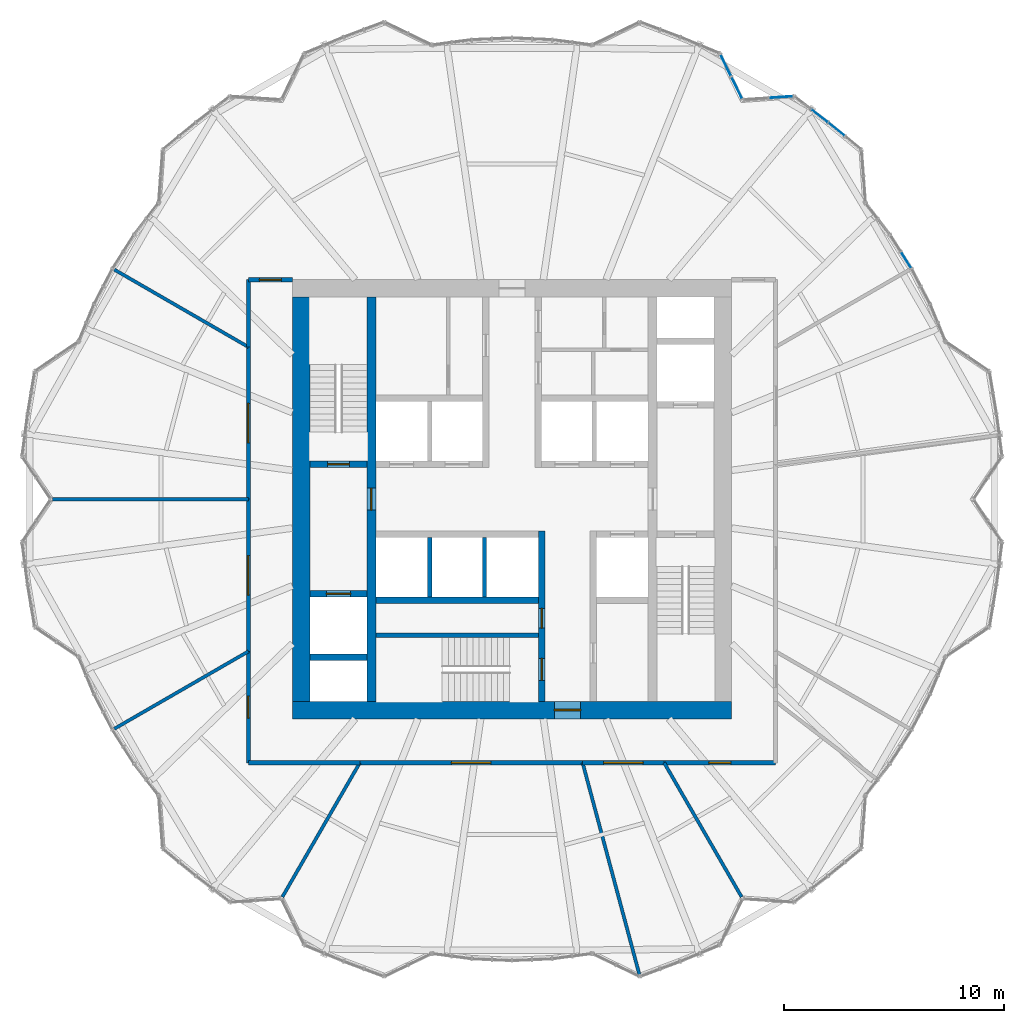
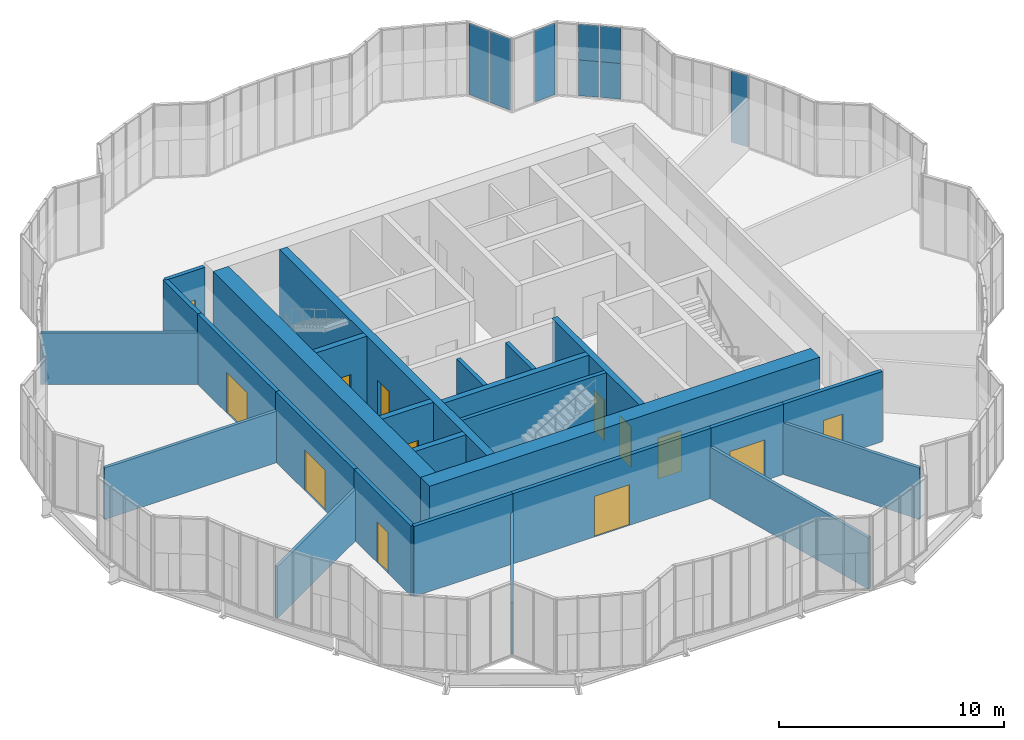
# One storey, part 19 of 22: 26 walls, 13 doors, 8 plates, 13 openings, 5 elements without a shape of their own.
"""IFC4 building model written with IfcOpenShell, lengths in metres."""

from ifc_helpers import new_model, si_unit, direction, frame, frame_2d, origin, origin_2d, place, context, subcontext, project, spatial, rectangle, extrude, material, layer, layer_set, type_object, element, fill, aggregate, save


model = new_model("IFC4")

# Units and contexts
model_context = context("Model", 3, precision=1e-05, world=origin(), true_north=direction((0.0, 1.0)))
body_context = subcontext(model_context, "Body", "Model", "MODEL_VIEW")
ifc_project = project(units=[si_unit("LENGTHUNIT", "METRE"), si_unit("AREAUNIT", "SQUARE_METRE"), si_unit("VOLUMEUNIT", "CUBIC_METRE"), si_unit("PLANEANGLEUNIT", "RADIAN"), si_unit("MASSUNIT", "GRAM", prefix="KILO")], contexts=[model_context])

# Site, building, storey
site_placement = place(None, origin())
site = spatial("IfcSite", under=ifc_project, at=site_placement, CompositionType="ELEMENT")
building_placement = place(site_placement, origin())
building = spatial("IfcBuilding", under=site, at=building_placement, Name="Golbaran Civic Tower", CompositionType="ELEMENT")
storey_placement = place(building_placement, frame((0.0, 0.0, 29.0)))
storey = spatial("IfcBuildingStorey", under=building, at=storey_placement, Name="L06", CompositionType="ELEMENT", Elevation=29.0)

# Curtain wall, plate
ifc_material_1 = material(Name="Aluminium and glass", Category="aluminium")
curtain_wall_type = type_object("IfcCurtainWallType", Name="INNER SKIN CURTAIN WALL", PredefinedType="NOTDEFINED", material=ifc_material_1)
curtain_wall_1_placement = place(storey_placement, origin())
curtain_wall_1 = element("IfcCurtainWall", 1, at=curtain_wall_1_placement, inside=storey, type_object=curtain_wall_type, Name="Inner skin L06 facet 7 CW1", ObjectType="INNER SKIN", PredefinedType="USERDEFINED")
ifc_material_2 = material(Name="Clear insulating glass", Category="glass")
ifc_layer_1 = layer(ifc_material_2, 0.031982421875, Name="Clear insulating glass")
ifc_layer_set_1 = layer_set([ifc_layer_1], Name="Clear insulating glass")
plate_type_1 = type_object("IfcPlateType", Name="INNER SKIN CURTAIN WALL GLAZED PANEL", PredefinedType="CURTAIN_PANEL", material=ifc_layer_set_1)
plate_1_placement = place(storey_placement, frame((17.94482421875, 10.888916015625, 0.06494140625), z_axis=(0.0, 0.0, 1.0), x_axis=(-0.537299608155, 0.843391445935, 0.0)))
plate_1 = element("IfcPlate", 2, at=plate_1_placement, type_object=plate_type_1, Name="CW1 panel 1.1", PredefinedType="CURTAIN_PANEL", context=body_context, shape_type="SweptSolid", body=[
    extrude(rectangle(XDim=0.851318359375, YDim=0.031982421875, at=origin_2d()), origin(), (0.0, 0.0, 1.0), 3.8701171875),
])
aggregate(curtain_wall_1, [plate_1])

curtain_wall_2_placement = place(storey_placement, origin())
curtain_wall_2 = element("IfcCurtainWall", 3, at=curtain_wall_2_placement, inside=storey, type_object=curtain_wall_type, Name="Inner skin L06 facet 12 CW1", ObjectType="INNER SKIN", PredefinedType="USERDEFINED")
plate_2_placement = place(storey_placement, frame((12.24462890625, 18.30712890625, 0.06494140625), z_axis=(0.0, 0.0, 1.0), x_axis=(-0.99777932909, -0.066606384387, 0.0)))
plate_2 = element("IfcPlate", 4, at=plate_2_placement, type_object=plate_type_1, Name="CW1 panel 1.1", PredefinedType="CURTAIN_PANEL", context=body_context, shape_type="SweptSolid", body=[
    extrude(rectangle(XDim=1.077392578125, YDim=0.031982421875, at=origin_2d()), origin(), (0.0, 0.0, 1.0), 3.8701171875),
])
aggregate(curtain_wall_2, [plate_2])

# Curtain wall, plates
curtain_wall_3_placement = place(storey_placement, origin())
curtain_wall_3 = element("IfcCurtainWall", 5, at=curtain_wall_3_placement, inside=storey, type_object=curtain_wall_type, Name="Inner skin L06 facet 13 CW1", ObjectType="INNER SKIN", PredefinedType="USERDEFINED")
plate_3_placement = place(storey_placement, frame((10.236083984375, 18.732666015625, 0.06494140625), z_axis=(0.0, 0.0, 1.0), x_axis=(-0.441206843893, 0.897405438418, 0.0)))
plate_3 = element("IfcPlate", 6, at=plate_3_placement, type_object=plate_type_1, Name="CW1 panel 1.1", PredefinedType="CURTAIN_PANEL", context=body_context, shape_type="SweptSolid", body=[
    extrude(rectangle(XDim=1.077392578125, YDim=0.031982421875, at=origin_2d()), origin(), (0.0, 0.0, 1.0), 3.8701171875),
])
plate_4_placement = place(storey_placement, frame((9.732177734375, 19.7578125, 0.06494140625), z_axis=(0.0, 0.0, 1.0), x_axis=(-0.441206843893, 0.897405438418, 0.0)))
plate_4 = element("IfcPlate", 7, at=plate_4_placement, type_object=plate_type_1, Name="CW1 panel 2.1", PredefinedType="CURTAIN_PANEL", context=body_context, shape_type="SweptSolid", body=[
    extrude(rectangle(XDim=1.077392578125, YDim=0.031982421875, at=origin_2d()), origin(), (0.0, 0.0, 1.0), 3.8701171875),
])
aggregate(curtain_wall_3, [plate_3, plate_4])

curtain_wall_4_placement = place(storey_placement, origin())
curtain_wall_4 = element("IfcCurtainWall", 8, at=curtain_wall_4_placement, inside=storey, type_object=curtain_wall_type, Name="Inner skin L06 facet 10 CW1", ObjectType="INNER SKIN", PredefinedType="USERDEFINED")
ifc_material_3 = material(Name="Aluminium faced opaque infill panel", Category="aluminium")
ifc_layer_2 = layer(ifc_material_3, 0.031982421875, Name="Aluminium faced opaque infill panel")
ifc_layer_set_2 = layer_set([ifc_layer_2], Name="Aluminium faced opaque infill panel")
plate_type_2 = type_object("IfcPlateType", Name="INNER SKIN CURTAIN WALL OPAQUE INFILL PANEL", PredefinedType="CURTAIN_PANEL", material=ifc_layer_set_2)
plate_5_placement = place(storey_placement, frame((14.775634765625, 16.84619140625, 0.06494140625), z_axis=(0.0, 0.0, 1.0), x_axis=(-0.772032452954, 0.63558311147, 0.0)))
plate_5 = element("IfcPlate", 9, at=plate_5_placement, type_object=plate_type_2, Name="CW1 infill panel 2.1 part 1", PredefinedType="CURTAIN_PANEL", context=body_context, shape_type="SweptSolid", body=[
    extrude(rectangle(XDim=0.91552734375, YDim=0.031982421875, at=origin_2d()), origin(), (0.0, 0.0, 1.0), 1.93505859375),
])
plate_6_placement = place(storey_placement, frame((14.775634765625, 16.84619140625, 2.0), z_axis=(0.0, 0.0, 1.0), x_axis=(-0.772032452954, 0.63558311147, 0.0)))
plate_6 = element("IfcPlate", 10, at=plate_6_placement, type_object=plate_type_2, Name="CW1 infill panel 2.1 part 2", PredefinedType="CURTAIN_PANEL", context=body_context, shape_type="SweptSolid", body=[
    extrude(rectangle(XDim=0.91552734375, YDim=0.031982421875, at=origin_2d()), origin(), (0.0, 0.0, 1.0), 1.93505859375),
])
aggregate(curtain_wall_4, [plate_5, plate_6])

curtain_wall_5_placement = place(storey_placement, origin())
curtain_wall_5 = element("IfcCurtainWall", 11, at=curtain_wall_5_placement, inside=storey, type_object=curtain_wall_type, Name="Inner skin L06 facet 11 CW1", ObjectType="INNER SKIN", PredefinedType="USERDEFINED")
plate_7_placement = place(storey_placement, frame((14.009521484375, 17.455322265625, 0.06494140625), z_axis=(0.0, 0.0, 1.0), x_axis=(-0.793353340408, 0.608761428856, 0.0)))
plate_7 = element("IfcPlate", 12, at=plate_7_placement, type_object=plate_type_2, Name="CW1 infill panel 1.1 part 1", PredefinedType="CURTAIN_PANEL", context=body_context, shape_type="SweptSolid", body=[
    extrude(rectangle(XDim=0.911865234375, YDim=0.031982421875, at=origin_2d()), origin(), (0.0, 0.0, 1.0), 1.93505859375),
])
plate_8_placement = place(storey_placement, frame((14.009521484375, 17.455322265625, 2.0), z_axis=(0.0, 0.0, 1.0), x_axis=(-0.793353340408, 0.608761428856, 0.0)))
plate_8 = element("IfcPlate", 13, at=plate_8_placement, type_object=plate_type_2, Name="CW1 infill panel 1.1 part 2", PredefinedType="CURTAIN_PANEL", context=body_context, shape_type="SweptSolid", body=[
    extrude(rectangle(XDim=0.911865234375, YDim=0.031982421875, at=origin_2d()), origin(), (0.0, 0.0, 1.0), 1.93505859375),
])
aggregate(curtain_wall_5, [plate_7, plate_8])

# Wall, opening, door
ifc_material_4 = material(Name="Concrete C50/60", Category="concrete")
ifc_layer_3 = layer(ifc_material_4, 0.39990234375, Name="Concrete C50/60")
ifc_layer_set_3 = layer_set([ifc_layer_3], Name="Concrete C50/60")
wall_type_1 = type_object("IfcWallType", Name="CORE WALL CONCRETE 400", PredefinedType="SOLIDWALL", material=ifc_layer_set_3)
wall_1_placement = place(storey_placement, frame((-6.39990234375, -9.199951171875, 0.0), z_axis=(0.0, 0.0, 1.0), x_axis=(0.0, 1.0, 0.0)))
wall_1 = element("IfcWall", 14, at=wall_1_placement, inside=storey, type_object=wall_type_1, Name="Core wall IW L06", PredefinedType="SOLIDWALL", context=body_context, shape_type="SweptSolid", body=[
    extrude(rectangle(XDim=18.39990234375, YDim=0.39990234375, at=frame_2d((9.199951171875, 0.0))), origin(), (0.0, 0.0, 1.0), 4.0),
])
opening_1_placement = place(wall_1_placement, frame((8.699951171875, 0.0, 0.0)))
opening_1 = element("IfcOpeningElement", 15, at=opening_1_placement, cuts=wall_1, Name="Opening L06.FL1", PredefinedType="OPENING", context=body_context, shape_type="SweptSolid", body=[
    extrude(rectangle(XDim=1.0, YDim=2.199951171875, at=frame_2d((0.5, 1.10009765625))), frame((0.0, 0.2099609375, 0.0), z_axis=(0.0, -1.0, 0.0), x_axis=(1.0, 0.0, 0.0)), (0.0, 0.0, 1.0), 0.419921875),
])
ifc_material_5 = material(Name="Timber door set in steel frame", Category="steel")
door_type_1 = type_object("IfcDoorType", Name="STAIR DOOR 1000x2200", OperationType="SINGLE_SWING_LEFT", PredefinedType="DOOR", material=ifc_material_5)
door_1_placement = place(opening_1_placement, origin())
door_1 = element("IfcDoor", 16, at=door_1_placement, inside=storey, type_object=door_type_1, Name="Fire-fighting lobby FL1 door", OperationType="SINGLE_SWING_LEFT", OverallHeight=2.199951171875, OverallWidth=1.0, PredefinedType="DOOR", context=body_context, shape_type="SweptSolid", body=[
    extrude(rectangle(XDim=1.0, YDim=2.199951171875, at=frame_2d((0.5, 1.10009765625))), frame((0.0, 0.02490234375, 0.0), z_axis=(0.0, -1.0, 0.0), x_axis=(1.0, 0.0, 0.0)), (0.0, 0.0, 1.0), 0.050048828125),
])
fill(opening_1, door_1)

ifc_layer_4 = layer(ifc_material_4, 0.800048828125, Name="Concrete C50/60")
ifc_layer_set_4 = layer_set([ifc_layer_4], Name="Concrete C50/60")
wall_type_2 = type_object("IfcWallType", Name="CORE WALL CONCRETE 800", PredefinedType="SOLIDWALL", material=ifc_layer_set_4)
wall_2_placement = place(storey_placement, frame((10.0, -9.60009765625, 0.0), z_axis=(0.0, 0.0, 1.0), x_axis=(-1.0, 0.0, 0.0)))
wall_2 = element("IfcWall", 17, at=wall_2_placement, inside=storey, type_object=wall_type_2, Name="Core wall CS L06", PredefinedType="SOLIDWALL", context=body_context, shape_type="SweptSolid", body=[
    extrude(rectangle(XDim=20.0, YDim=0.800048828125, at=frame_2d((10.0, 0.0))), origin(), (0.0, 0.0, 1.0), 4.0),
])
opening_2_placement = place(wall_2_placement, frame((6.875, 0.0, 0.0)))
opening_2 = element("IfcOpeningElement", 18, at=opening_2_placement, cuts=wall_2, Name="Opening L06.CS", PredefinedType="OPENING", context=body_context, shape_type="SweptSolid", body=[
    extrude(rectangle(XDim=1.199951171875, YDim=2.199951171875, at=frame_2d((0.60009765625, 1.10009765625))), frame((0.0, 0.409912109375, 0.0), z_axis=(0.0, -1.0, 0.0), x_axis=(1.0, 0.0, 0.0)), (0.0, 0.0, 1.0), 0.820068359375),
])
door_type_2 = type_object("IfcDoorType", Name="CORE DOOR 1200x2200", OperationType="DOUBLE_DOOR_SINGLE_SWING", PredefinedType="DOOR", material=ifc_material_5)
door_2_placement = place(opening_2_placement, origin())
door_2 = element("IfcDoor", 19, at=door_2_placement, inside=storey, type_object=door_type_2, Name="Core door south", OperationType="DOUBLE_DOOR_SINGLE_SWING", OverallHeight=2.199951171875, OverallWidth=1.199951171875, PredefinedType="DOOR", context=body_context, shape_type="SweptSolid", body=[
    extrude(rectangle(XDim=1.199951171875, YDim=2.199951171875, at=frame_2d((0.60009765625, 1.10009765625))), frame((0.0, 0.02490234375, 0.0), z_axis=(0.0, -1.0, 0.0), x_axis=(1.0, 0.0, 0.0)), (0.0, 0.0, 1.0), 0.050048828125),
])
fill(opening_2, door_2)

# Walls
wall_3_placement = place(storey_placement, frame((-9.60009765625, 9.199951171875, 0.0), z_axis=(0.0, 0.0, 1.0), x_axis=(0.0, -1.0, 0.0)))
element("IfcWall", 20, at=wall_3_placement, inside=storey, type_object=wall_type_2, Name="Core wall CW L06", PredefinedType="SOLIDWALL", context=body_context, shape_type="SweptSolid", body=[
    extrude(rectangle(XDim=18.39990234375, YDim=0.800048828125, at=frame_2d((9.199951171875, 0.0))), origin(), (0.0, 0.0, 1.0), 4.0),
])
ifc_material_6 = material(Name="Gypsum board on steel studs, fire-rated", Category="steel")
ifc_layer_5 = layer(ifc_material_6, 0.199951171875, Name="Gypsum board on steel studs, fire-rated")
ifc_layer_set_5 = layer_set([ifc_layer_5], Name="Gypsum board on steel studs, fire-rated")
wall_type_3 = type_object("IfcWallType", Name="CORRIDOR WALL 200", PredefinedType="PARTITIONING", material=ifc_layer_set_5)
wall_4_placement = place(storey_placement, frame((-12.0, 10.0, 0.0), z_axis=(0.0, 0.0, 1.0), x_axis=(0.0, -1.0, 0.0)))
element("IfcWall", 21, at=wall_4_placement, inside=storey, type_object=wall_type_3, Name="Corridor wall L06", PredefinedType="PARTITIONING", context=body_context, shape_type="SweptSolid", body=[
    extrude(rectangle(XDim=3.07177734375, YDim=0.199951171875, at=frame_2d((1.535888671875, 0.0))), origin(), (0.0, 0.0, 1.0), 3.800048828125),
])

# Wall, opening, door
wall_5_placement = place(storey_placement, frame((-12.0, 6.92822265625, 0.0), z_axis=(0.0, 0.0, 1.0), x_axis=(0.0, -1.0, 0.0)))
wall_5 = element("IfcWall", 22, at=wall_5_placement, inside=storey, type_object=wall_type_3, Name="Corridor wall L06", PredefinedType="PARTITIONING", context=body_context, shape_type="SweptSolid", body=[
    extrude(rectangle(XDim=6.92822265625, YDim=0.199951171875, at=frame_2d((3.464111328125, 0.0))), origin(), (0.0, 0.0, 1.0), 3.800048828125),
])
opening_3_placement = place(wall_5_placement, frame((2.564208984375, 0.0, 0.0)))
opening_3 = element("IfcOpeningElement", 23, at=opening_3_placement, cuts=wall_5, Name="Opening L06.04", PredefinedType="OPENING", context=body_context, shape_type="SweptSolid", body=[
    extrude(rectangle(XDim=1.800048828125, YDim=2.199951171875, at=frame_2d((0.89990234375, 1.10009765625))), frame((0.0, 0.10986328125, 0.0), z_axis=(0.0, -1.0, 0.0), x_axis=(1.0, 0.0, 0.0)), (0.0, 0.0, 1.0), 0.219970703125),
])
door_type_3 = type_object("IfcDoorType", Name="OFFICE DOUBLE DOOR 1800x2200", OperationType="DOUBLE_DOOR_SINGLE_SWING", PredefinedType="DOOR", material=ifc_material_5)
door_3_placement = place(opening_3_placement, origin())
door_3 = element("IfcDoor", 24, at=door_3_placement, inside=storey, type_object=door_type_3, Name="Registry Office door L06", OperationType="DOUBLE_DOOR_SINGLE_SWING", OverallHeight=2.199951171875, OverallWidth=1.800048828125, PredefinedType="DOOR", context=body_context, shape_type="SweptSolid", body=[
    extrude(rectangle(XDim=1.800048828125, YDim=2.199951171875, at=frame_2d((0.89990234375, 1.10009765625))), frame((0.0, 0.02490234375, 0.0), z_axis=(0.0, -1.0, 0.0), x_axis=(1.0, 0.0, 0.0)), (0.0, 0.0, 1.0), 0.050048828125),
])
fill(opening_3, door_3)

wall_6_placement = place(storey_placement, frame((-12.0, 0.0, 0.0), z_axis=(0.0, 0.0, 1.0), x_axis=(0.0, -1.0, 0.0)))
wall_6 = element("IfcWall", 25, at=wall_6_placement, inside=storey, type_object=wall_type_3, Name="Corridor wall L06", PredefinedType="PARTITIONING", context=body_context, shape_type="SweptSolid", body=[
    extrude(rectangle(XDim=6.92822265625, YDim=0.199951171875, at=frame_2d((3.464111328125, 0.0))), origin(), (0.0, 0.0, 1.0), 3.800048828125),
])
opening_4_placement = place(wall_6_placement, frame((2.564208984375, 0.0, 0.0)))
opening_4 = element("IfcOpeningElement", 26, at=opening_4_placement, cuts=wall_6, Name="Opening L06.05", PredefinedType="OPENING", context=body_context, shape_type="SweptSolid", body=[
    extrude(rectangle(XDim=1.800048828125, YDim=2.199951171875, at=frame_2d((0.89990234375, 1.10009765625))), frame((0.0, 0.10986328125, 0.0), z_axis=(0.0, -1.0, 0.0), x_axis=(1.0, 0.0, 0.0)), (0.0, 0.0, 1.0), 0.219970703125),
])
door_4_placement = place(opening_4_placement, origin())
door_4 = element("IfcDoor", 27, at=door_4_placement, inside=storey, type_object=door_type_3, Name="Open Office door L06", OperationType="DOUBLE_DOOR_SINGLE_SWING", OverallHeight=2.199951171875, OverallWidth=1.800048828125, PredefinedType="DOOR", context=body_context, shape_type="SweptSolid", body=[
    extrude(rectangle(XDim=1.800048828125, YDim=2.199951171875, at=frame_2d((0.89990234375, 1.10009765625))), frame((0.0, 0.02490234375, 0.0), z_axis=(0.0, -1.0, 0.0), x_axis=(1.0, 0.0, 0.0)), (0.0, 0.0, 1.0), 0.050048828125),
])
fill(opening_4, door_4)

wall_7_placement = place(storey_placement, frame((-12.0, -6.92822265625, 0.0), z_axis=(0.0, 0.0, 1.0), x_axis=(0.0, -1.0, 0.0)))
wall_7 = element("IfcWall", 28, at=wall_7_placement, inside=storey, type_object=wall_type_3, Name="Corridor wall L06", PredefinedType="PARTITIONING", context=body_context, shape_type="SweptSolid", body=[
    extrude(rectangle(XDim=5.07177734375, YDim=0.199951171875, at=frame_2d((2.535888671875, 0.0))), origin(), (0.0, 0.0, 1.0), 3.800048828125),
])
opening_5_placement = place(wall_7_placement, frame((2.035888671875, 0.0, 0.0)))
opening_5 = element("IfcOpeningElement", 29, at=opening_5_placement, cuts=wall_7, Name="Opening L06.06", PredefinedType="OPENING", context=body_context, shape_type="SweptSolid", body=[
    extrude(rectangle(XDim=1.0, YDim=2.199951171875, at=frame_2d((0.5, 1.10009765625))), frame((0.0, 0.10986328125, 0.0), z_axis=(0.0, -1.0, 0.0), x_axis=(1.0, 0.0, 0.0)), (0.0, 0.0, 1.0), 0.219970703125),
])
door_type_4 = type_object("IfcDoorType", Name="OFFICE DOOR 1000x2200", OperationType="SINGLE_SWING_LEFT", PredefinedType="DOOR", material=ifc_material_5)
door_5_placement = place(opening_5_placement, origin())
door_5 = element("IfcDoor", 30, at=door_5_placement, inside=storey, type_object=door_type_4, Name="Quiet Room door L06", OperationType="SINGLE_SWING_RIGHT", OverallHeight=2.199951171875, OverallWidth=1.0, PredefinedType="DOOR", context=body_context, shape_type="SweptSolid", body=[
    extrude(rectangle(XDim=1.0, YDim=2.199951171875, at=frame_2d((0.5, 1.10009765625))), frame((0.0, 0.02490234375, 0.0), z_axis=(0.0, -1.0, 0.0), x_axis=(1.0, 0.0, 0.0)), (0.0, 0.0, 1.0), 0.050048828125),
])
fill(opening_5, door_5)

# Wall
wall_8_placement = place(storey_placement, frame((-12.0, -12.0, 0.0), z_axis=(0.0, 0.0, 1.0), x_axis=(1.0, 0.0, 0.0)))
element("IfcWall", 31, at=wall_8_placement, inside=storey, type_object=wall_type_3, Name="Corridor wall L06", PredefinedType="PARTITIONING", context=body_context, shape_type="SweptSolid", body=[
    extrude(rectangle(XDim=5.07177734375, YDim=0.199951171875, at=frame_2d((2.535888671875, 0.0))), origin(), (0.0, 0.0, 1.0), 3.800048828125),
])

# Wall, opening, door
wall_9_placement = place(storey_placement, frame((-6.92822265625, -12.0, 0.0), z_axis=(0.0, 0.0, 1.0), x_axis=(1.0, 0.0, 0.0)))
wall_9 = element("IfcWall", 32, at=wall_9_placement, inside=storey, type_object=wall_type_3, Name="Corridor wall L06", PredefinedType="PARTITIONING", context=body_context, shape_type="SweptSolid", body=[
    extrude(rectangle(XDim=10.1435546875, YDim=0.199951171875, at=frame_2d((5.07177734375, 0.0))), origin(), (0.0, 0.0, 1.0), 3.800048828125),
])
opening_6_placement = place(wall_9_placement, frame((4.171875, 0.0, 0.0)))
opening_6 = element("IfcOpeningElement", 33, at=opening_6_placement, cuts=wall_9, Name="Opening L06.07", PredefinedType="OPENING", context=body_context, shape_type="SweptSolid", body=[
    extrude(rectangle(XDim=1.800048828125, YDim=2.199951171875, at=frame_2d((0.89990234375, 1.10009765625))), frame((0.0, 0.10986328125, 0.0), z_axis=(0.0, -1.0, 0.0), x_axis=(1.0, 0.0, 0.0)), (0.0, 0.0, 1.0), 0.219970703125),
])
door_6_placement = place(opening_6_placement, origin())
door_6 = element("IfcDoor", 34, at=door_6_placement, inside=storey, type_object=door_type_3, Name="Interview Room door L06", OperationType="DOUBLE_DOOR_SINGLE_SWING", OverallHeight=2.199951171875, OverallWidth=1.800048828125, PredefinedType="DOOR", context=body_context, shape_type="SweptSolid", body=[
    extrude(rectangle(XDim=1.800048828125, YDim=2.199951171875, at=frame_2d((0.89990234375, 1.10009765625))), frame((0.0, 0.02490234375, 0.0), z_axis=(0.0, -1.0, 0.0), x_axis=(1.0, 0.0, 0.0)), (0.0, 0.0, 1.0), 0.050048828125),
])
fill(opening_6, door_6)

wall_10_placement = place(storey_placement, frame((3.21533203125, -12.0, 0.0), z_axis=(0.0, 0.0, 1.0), x_axis=(1.0, 0.0, 0.0)))
wall_10 = element("IfcWall", 35, at=wall_10_placement, inside=storey, type_object=wall_type_3, Name="Corridor wall L06", PredefinedType="PARTITIONING", context=body_context, shape_type="SweptSolid", body=[
    extrude(rectangle(XDim=3.712890625, YDim=0.199951171875, at=frame_2d((1.8564453125, 0.0))), origin(), (0.0, 0.0, 1.0), 3.800048828125),
])
opening_7_placement = place(wall_10_placement, frame((0.956298828125, 0.0, 0.0)))
opening_7 = element("IfcOpeningElement", 36, at=opening_7_placement, cuts=wall_10, Name="Opening L06.08", PredefinedType="OPENING", context=body_context, shape_type="SweptSolid", body=[
    extrude(rectangle(XDim=1.800048828125, YDim=2.199951171875, at=frame_2d((0.89990234375, 1.10009765625))), frame((0.0, 0.10986328125, 0.0), z_axis=(0.0, -1.0, 0.0), x_axis=(1.0, 0.0, 0.0)), (0.0, 0.0, 1.0), 0.219970703125),
])
door_7_placement = place(opening_7_placement, origin())
door_7 = element("IfcDoor", 37, at=door_7_placement, inside=storey, type_object=door_type_3, Name="Open Office door L06", OperationType="DOUBLE_DOOR_SINGLE_SWING", OverallHeight=2.199951171875, OverallWidth=1.800048828125, PredefinedType="DOOR", context=body_context, shape_type="SweptSolid", body=[
    extrude(rectangle(XDim=1.800048828125, YDim=2.199951171875, at=frame_2d((0.89990234375, 1.10009765625))), frame((0.0, 0.02490234375, 0.0), z_axis=(0.0, -1.0, 0.0), x_axis=(1.0, 0.0, 0.0)), (0.0, 0.0, 1.0), 0.050048828125),
])
fill(opening_7, door_7)

wall_11_placement = place(storey_placement, frame((6.92822265625, -12.0, 0.0), z_axis=(0.0, 0.0, 1.0), x_axis=(1.0, 0.0, 0.0)))
wall_11 = element("IfcWall", 38, at=wall_11_placement, inside=storey, type_object=wall_type_3, Name="Corridor wall L06", PredefinedType="PARTITIONING", context=body_context, shape_type="SweptSolid", body=[
    extrude(rectangle(XDim=5.07177734375, YDim=0.199951171875, at=frame_2d((2.535888671875, 0.0))), origin(), (0.0, 0.0, 1.0), 3.800048828125),
])
opening_8_placement = place(wall_11_placement, frame((2.035888671875, 0.0, 0.0)))
opening_8 = element("IfcOpeningElement", 39, at=opening_8_placement, cuts=wall_11, Name="Opening L06.09", PredefinedType="OPENING", context=body_context, shape_type="SweptSolid", body=[
    extrude(rectangle(XDim=1.0, YDim=2.199951171875, at=frame_2d((0.5, 1.10009765625))), frame((0.0, 0.10986328125, 0.0), z_axis=(0.0, -1.0, 0.0), x_axis=(1.0, 0.0, 0.0)), (0.0, 0.0, 1.0), 0.219970703125),
])
door_8_placement = place(opening_8_placement, origin())
door_8 = element("IfcDoor", 40, at=door_8_placement, inside=storey, type_object=door_type_4, Name="File Room door L06", OperationType="SINGLE_SWING_LEFT", OverallHeight=2.199951171875, OverallWidth=1.0, PredefinedType="DOOR", context=body_context, shape_type="SweptSolid", body=[
    extrude(rectangle(XDim=1.0, YDim=2.199951171875, at=frame_2d((0.5, 1.10009765625))), frame((0.0, 0.02490234375, 0.0), z_axis=(0.0, -1.0, 0.0), x_axis=(1.0, 0.0, 0.0)), (0.0, 0.0, 1.0), 0.050048828125),
])
fill(opening_8, door_8)

wall_12_placement = place(storey_placement, frame((-10.0, 10.0, 0.0), z_axis=(0.0, 0.0, 1.0), x_axis=(-1.0, 0.0, 0.0)))
wall_12 = element("IfcWall", 41, at=wall_12_placement, inside=storey, type_object=wall_type_3, Name="Corridor end wall L06", PredefinedType="PARTITIONING", context=body_context, shape_type="SweptSolid", body=[
    extrude(rectangle(XDim=2.0, YDim=0.199951171875, at=frame_2d((1.0, 0.0))), origin(), (0.0, 0.0, 1.0), 3.800048828125),
])
opening_9_placement = place(wall_12_placement, frame((0.5, 0.0, 0.0)))
opening_9 = element("IfcOpeningElement", 42, at=opening_9_placement, cuts=wall_12, Name="Opening L06.12", PredefinedType="OPENING", context=body_context, shape_type="SweptSolid", body=[
    extrude(rectangle(XDim=1.0, YDim=2.199951171875, at=frame_2d((0.5, 1.10009765625))), frame((0.0, 0.10986328125, 0.0), z_axis=(0.0, -1.0, 0.0), x_axis=(1.0, 0.0, 0.0)), (0.0, 0.0, 1.0), 0.219970703125),
])
door_9_placement = place(opening_9_placement, origin())
door_9 = element("IfcDoor", 43, at=door_9_placement, inside=storey, type_object=door_type_4, Name="Open Office door L06", OperationType="SINGLE_SWING_RIGHT", OverallHeight=2.199951171875, OverallWidth=1.0, PredefinedType="DOOR", context=body_context, shape_type="SweptSolid", body=[
    extrude(rectangle(XDim=1.0, YDim=2.199951171875, at=frame_2d((0.5, 1.10009765625))), frame((0.0, 0.02490234375, 0.0), z_axis=(0.0, -1.0, 0.0), x_axis=(1.0, 0.0, 0.0)), (0.0, 0.0, 1.0), 0.050048828125),
])
fill(opening_9, door_9)

# Walls
ifc_material_7 = material(Name="Concrete block", Category="concrete")
ifc_layer_6 = layer(ifc_material_7, 0.199951171875, Name="Concrete block")
ifc_layer_set_6 = layer_set([ifc_layer_6], Name="Concrete block")
wall_type_4 = type_object("IfcWallType", Name="LIFT SEPARATOR WALL 200", PredefinedType="SOLIDWALL", material=ifc_layer_set_6)
for number, where, z_axis, x_axis, name in (
    (44, (-3.75, -1.75, 0.0), (0.0, 0.0, 1.0), (0.0, -1.0, 0.0), "Core partition SSW L06"),
    (45, (-1.25, -1.75, 0.0), (0.0, 0.0, 1.0), (0.0, -1.0, 0.0), "Core partition SSM L06"),
):
    element("IfcWall", number, at=place(storey_placement, frame(where, z_axis=z_axis, x_axis=x_axis)), inside=storey, type_object=wall_type_4, Name=name, PredefinedType="SOLIDWALL", context=body_context, shape_type="SweptSolid", body=[
        extrude(rectangle(XDim=2.699951171875, YDim=0.199951171875, at=frame_2d((1.35009765625, 0.0))), origin(), (0.0, 0.0, 1.0), 3.75),
    ])
ifc_material_8 = material(Name="Gypsum board on steel studs", Category="steel")
ifc_layer_7 = layer(ifc_material_8, 0.14990234375, Name="Gypsum board on steel studs")
ifc_layer_set_7 = layer_set([ifc_layer_7], Name="Gypsum board on steel studs")
wall_type_5 = type_object("IfcWallType", Name="OFFICE PARTITION 150", PredefinedType="PARTITIONING", material=ifc_layer_set_7)
wall_13_placement = place(storey_placement, frame((-12.0, 6.92822265625, 0.0), z_axis=(0.0, 0.0, 1.0), x_axis=(-0.86602254688, 0.500004948271, 0.0)))
element("IfcWall", 46, at=wall_13_placement, inside=storey, type_object=wall_type_5, Name="Partition 150 L06", PredefinedType="PARTITIONING", context=body_context, shape_type="SweptSolid", body=[
    extrude(rectangle(XDim=7.05712890625, YDim=0.14990234375, at=frame_2d((3.528564453125, 0.0))), origin(), (0.0, 0.0, 1.0), 2.7900390625),
])
wall_14_placement = place(storey_placement, frame((-12.0, 0.0, 0.0), z_axis=(0.0, 0.0, 1.0), x_axis=(-1.0, 0.0, 0.0)))
element("IfcWall", 47, at=wall_14_placement, inside=storey, type_object=wall_type_5, Name="Partition 180 L06", PredefinedType="PARTITIONING", context=body_context, shape_type="SweptSolid", body=[
    extrude(rectangle(XDim=8.91357421875, YDim=0.14990234375, at=frame_2d((4.456787109375, 0.0))), origin(), (0.0, 0.0, 1.0), 2.7900390625),
])
for number, where, z_axis, x_axis, name in (
    (48, (-12.0, -6.92822265625, 0.0), (0.0, 0.0, 1.0), (-0.86602254688, -0.500004948271, 0.0), "Partition 210 L06"),
    (49, (-6.92822265625, -12.0, 0.0), (0.0, 0.0, 1.0), (-0.500004948271, -0.86602254688, 0.0), "Partition 240 L06"),
):
    element("IfcWall", number, at=place(storey_placement, frame(where, z_axis=z_axis, x_axis=x_axis)), inside=storey, type_object=wall_type_5, Name=name, PredefinedType="PARTITIONING", context=body_context, shape_type="SweptSolid", body=[
        extrude(rectangle(XDim=7.05712890625, YDim=0.14990234375, at=frame_2d((3.528564453125, 0.0))), origin(), (0.0, 0.0, 1.0), 2.7900390625),
    ])
wall_15_placement = place(storey_placement, frame((3.21533203125, -12.0, 0.0), z_axis=(0.0, 0.0, 1.0), x_axis=(0.258824874955, -0.965924264166, 0.0)))
element("IfcWall", 50, at=wall_15_placement, inside=storey, type_object=wall_type_5, Name="Partition 285 L06", PredefinedType="PARTITIONING", context=body_context, shape_type="SweptSolid", body=[
    extrude(rectangle(XDim=9.9873046875, YDim=0.14990234375, at=frame_2d((4.99365234375, 0.0))), origin(), (0.0, 0.0, 1.0), 2.7900390625),
])
wall_16_placement = place(storey_placement, frame((6.92822265625, -12.0, 0.0), z_axis=(0.0, 0.0, 1.0), x_axis=(0.500004948271, -0.86602254688, 0.0)))
element("IfcWall", 51, at=wall_16_placement, inside=storey, type_object=wall_type_5, Name="Partition 300 L06", PredefinedType="PARTITIONING", context=body_context, shape_type="SweptSolid", body=[
    extrude(rectangle(XDim=7.05712890625, YDim=0.14990234375, at=frame_2d((3.528564453125, 0.0))), origin(), (0.0, 0.0, 1.0), 2.7900390625),
])
ifc_layer_8 = layer(ifc_material_4, 0.199951171875, Name="Concrete C50/60")
ifc_layer_set_8 = layer_set([ifc_layer_8], Name="Concrete C50/60")
wall_type_6 = type_object("IfcWallType", Name="SHAFT WALL CONCRETE 200", PredefinedType="SOLIDWALL", material=ifc_layer_set_8)
wall_17_placement = place(storey_placement, frame((-6.199951171875, -6.199951171875, 0.0), z_axis=(0.0, 0.0, 1.0), x_axis=(1.0, 0.0, 0.0)))
element("IfcWall", 52, at=wall_17_placement, inside=storey, type_object=wall_type_6, Name="Core wall S3N L06", PredefinedType="SOLIDWALL", context=body_context, shape_type="SweptSolid", body=[
    extrude(rectangle(XDim=7.39990234375, YDim=0.199951171875, at=frame_2d((3.699951171875, 0.0))), origin(), (0.0, 0.0, 1.0), 4.0),
])
ifc_layer_9 = layer(ifc_material_4, 0.300048828125, Name="Concrete C50/60")
ifc_layer_set_9 = layer_set([ifc_layer_9], Name="Concrete C50/60")
wall_type_7 = type_object("IfcWallType", Name="SHAFT WALL CONCRETE 300", PredefinedType="SOLIDWALL", material=ifc_layer_set_9)
wall_18_placement = place(storey_placement, frame((-6.199951171875, -4.60009765625, 0.0), z_axis=(0.0, 0.0, 1.0), x_axis=(1.0, 0.0, 0.0)))
element("IfcWall", 53, at=wall_18_placement, inside=storey, type_object=wall_type_7, Name="Core wall BSW L06", PredefinedType="SOLIDWALL", context=body_context, shape_type="SweptSolid", body=[
    extrude(rectangle(XDim=7.39990234375, YDim=0.300048828125, at=frame_2d((3.699951171875, 0.0))), origin(), (0.0, 0.0, 1.0), 4.0),
])

# Wall, openings, doors
wall_19_placement = place(storey_placement, frame((1.35009765625, -1.449951171875, 0.0), z_axis=(0.0, 0.0, 1.0), x_axis=(0.0, -1.0, 0.0)))
wall_19 = element("IfcWall", 54, at=wall_19_placement, inside=storey, type_object=wall_type_7, Name="Core wall PSW L06", PredefinedType="SOLIDWALL", context=body_context, shape_type="SweptSolid", body=[
    extrude(rectangle(XDim=7.75, YDim=0.300048828125, at=frame_2d((3.875, 0.0))), origin(), (0.0, 0.0, 1.0), 4.0),
])
opening_10_placement = place(wall_19_placement, frame((5.800048828125, 0.0, 0.0)))
opening_10 = element("IfcOpeningElement", 55, at=opening_10_placement, cuts=wall_19, Name="Opening L06.S3", PredefinedType="OPENING", context=body_context, shape_type="SweptSolid", body=[
    extrude(rectangle(XDim=1.0, YDim=2.199951171875, at=frame_2d((0.5, 1.10009765625))), frame((0.0, 0.159912109375, 0.0), z_axis=(0.0, -1.0, 0.0), x_axis=(1.0, 0.0, 0.0)), (0.0, 0.0, 1.0), 0.320068359375),
])
opening_11_placement = place(wall_19_placement, frame((3.52490234375, 0.0, 0.0)))
opening_11 = element("IfcOpeningElement", 56, at=opening_11_placement, cuts=wall_19, Name="Opening L06.RE", PredefinedType="OPENING", context=body_context, shape_type="SweptSolid", body=[
    extrude(rectangle(XDim=0.89990234375, YDim=2.199951171875, at=frame_2d((0.449951171875, 1.10009765625))), frame((0.0, 0.159912109375, 0.0), z_axis=(0.0, -1.0, 0.0), x_axis=(1.0, 0.0, 0.0)), (0.0, 0.0, 1.0), 0.320068359375),
])
door_type_5 = type_object("IfcDoorType", Name="RISER DOOR 900x2200", OperationType="SINGLE_SWING_LEFT", PredefinedType="DOOR", material=ifc_material_5)
door_10_placement = place(opening_11_placement, origin())
door_10 = element("IfcDoor", 57, at=door_10_placement, inside=storey, type_object=door_type_5, Name="Electrical riser door", OperationType="SINGLE_SWING_RIGHT", OverallHeight=2.199951171875, OverallWidth=0.89990234375, PredefinedType="DOOR", context=body_context, shape_type="SweptSolid", body=[
    extrude(rectangle(XDim=0.89990234375, YDim=2.199951171875, at=frame_2d((0.449951171875, 1.10009765625))), frame((0.0, 0.02490234375, 0.0), z_axis=(0.0, -1.0, 0.0), x_axis=(1.0, 0.0, 0.0)), (0.0, 0.0, 1.0), 0.050048828125),
])
fill(opening_11, door_10)
door_11_placement = place(opening_10_placement, origin())
door_11 = element("IfcDoor", 58, at=door_11_placement, inside=storey, type_object=door_type_1, Name="Stair S3 door", OperationType="SINGLE_SWING_RIGHT", OverallHeight=2.199951171875, OverallWidth=1.0, PredefinedType="DOOR", context=body_context, shape_type="SweptSolid", body=[
    extrude(rectangle(XDim=1.0, YDim=2.199951171875, at=frame_2d((0.5, 1.10009765625))), frame((0.0, 0.02490234375, 0.0), z_axis=(0.0, -1.0, 0.0), x_axis=(1.0, 0.0, 0.0)), (0.0, 0.0, 1.0), 0.050048828125),
])
fill(opening_10, door_11)

# Wall, opening, door
wall_20_placement = place(storey_placement, frame((-9.199951171875, 1.60009765625, 0.0), z_axis=(0.0, 0.0, 1.0), x_axis=(1.0, 0.0, 0.0)))
wall_20 = element("IfcWall", 59, at=wall_20_placement, inside=storey, type_object=wall_type_7, Name="Core wall XW1 L06", PredefinedType="SOLIDWALL", context=body_context, shape_type="SweptSolid", body=[
    extrude(rectangle(XDim=2.599853515625, YDim=0.300048828125, at=frame_2d((1.2998046875, 0.0))), origin(), (0.0, 0.0, 1.0), 4.0),
])
opening_12_placement = place(wall_20_placement, frame((0.800048828125, 0.0, 0.0)))
opening_12 = element("IfcOpeningElement", 60, at=opening_12_placement, cuts=wall_20, Name="Opening L06.S1", PredefinedType="OPENING", context=body_context, shape_type="SweptSolid", body=[
    extrude(rectangle(XDim=1.0, YDim=2.199951171875, at=frame_2d((0.5, 1.10009765625))), frame((0.0, 0.159912109375, 0.0), z_axis=(0.0, -1.0, 0.0), x_axis=(1.0, 0.0, 0.0)), (0.0, 0.0, 1.0), 0.320068359375),
])
door_12_placement = place(opening_12_placement, origin())
door_12 = element("IfcDoor", 61, at=door_12_placement, inside=storey, type_object=door_type_1, Name="Stair S1 door", OperationType="SINGLE_SWING_LEFT", OverallHeight=2.199951171875, OverallWidth=1.0, PredefinedType="DOOR", context=body_context, shape_type="SweptSolid", body=[
    extrude(rectangle(XDim=1.0, YDim=2.199951171875, at=frame_2d((0.5, 1.10009765625))), frame((0.0, 0.02490234375, 0.0), z_axis=(0.0, -1.0, 0.0), x_axis=(1.0, 0.0, 0.0)), (0.0, 0.0, 1.0), 0.050048828125),
])
fill(opening_12, door_12)

wall_21_placement = place(storey_placement, frame((-9.199951171875, -4.300048828125, 0.0), z_axis=(0.0, 0.0, 1.0), x_axis=(1.0, 0.0, 0.0)))
wall_21 = element("IfcWall", 62, at=wall_21_placement, inside=storey, type_object=wall_type_7, Name="Core wall XW2 L06", PredefinedType="SOLIDWALL", context=body_context, shape_type="SweptSolid", body=[
    extrude(rectangle(XDim=2.599853515625, YDim=0.300048828125, at=frame_2d((1.2998046875, 0.0))), origin(), (0.0, 0.0, 1.0), 4.0),
])
opening_13_placement = place(wall_21_placement, frame((0.75, 0.0, 0.0)))
opening_13 = element("IfcOpeningElement", 63, at=opening_13_placement, cuts=wall_21, Name="Opening L06.LD-F1", PredefinedType="OPENING", context=body_context, shape_type="SweptSolid", body=[
    extrude(rectangle(XDim=1.10009765625, YDim=2.199951171875, at=frame_2d((0.550048828125, 1.10009765625))), frame((0.0, 0.159912109375, 0.0), z_axis=(0.0, -1.0, 0.0), x_axis=(1.0, 0.0, 0.0)), (0.0, 0.0, 1.0), 0.320068359375),
])
ifc_material_9 = material(Name="Stainless steel", Category="steel")
door_type_6 = type_object("IfcDoorType", Name="LIFT LANDING DOOR 1100x2200", OperationType="SLIDING_TO_LEFT", PredefinedType="DOOR", material=ifc_material_9)
door_13_placement = place(opening_13_placement, origin())
door_13 = element("IfcDoor", 64, at=door_13_placement, inside=storey, type_object=door_type_6, Name="Lift landing door F1", OperationType="SLIDING_TO_LEFT", OverallHeight=2.199951171875, OverallWidth=1.10009765625, PredefinedType="DOOR", context=body_context, shape_type="SweptSolid", body=[
    extrude(rectangle(XDim=1.10009765625, YDim=2.199951171875, at=frame_2d((0.550048828125, 1.10009765625))), frame((0.0, 0.02490234375, 0.0), z_axis=(0.0, -1.0, 0.0), x_axis=(1.0, 0.0, 0.0)), (0.0, 0.0, 1.0), 0.050048828125),
])
fill(opening_13, door_13)

# Wall
wall_22_placement = place(storey_placement, frame((-9.199951171875, -7.199951171875, 0.0), z_axis=(0.0, 0.0, 1.0), x_axis=(1.0, 0.0, 0.0)))
element("IfcWall", 65, at=wall_22_placement, inside=storey, type_object=wall_type_7, Name="Core wall XW3 L06", PredefinedType="SOLIDWALL", context=body_context, shape_type="SweptSolid", body=[
    extrude(rectangle(XDim=2.599853515625, YDim=0.300048828125, at=frame_2d((1.2998046875, 0.0))), origin(), (0.0, 0.0, 1.0), 4.0),
])

save(model, "model.ifc")
